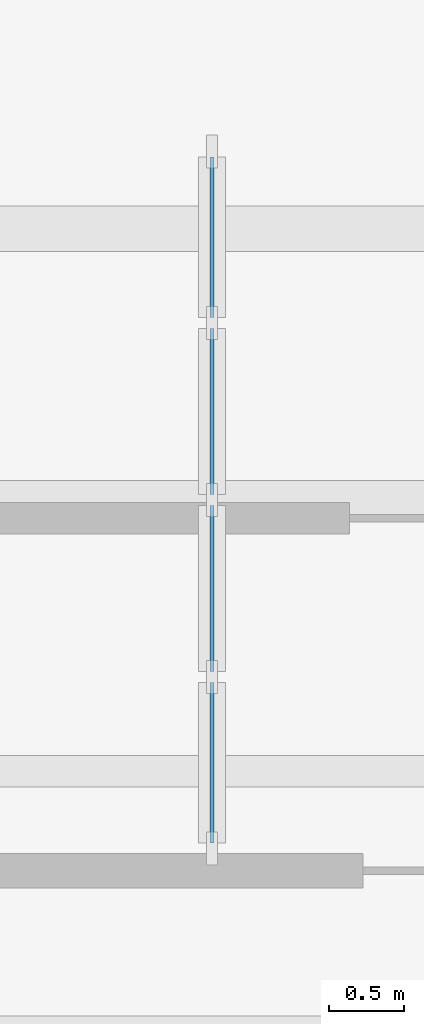
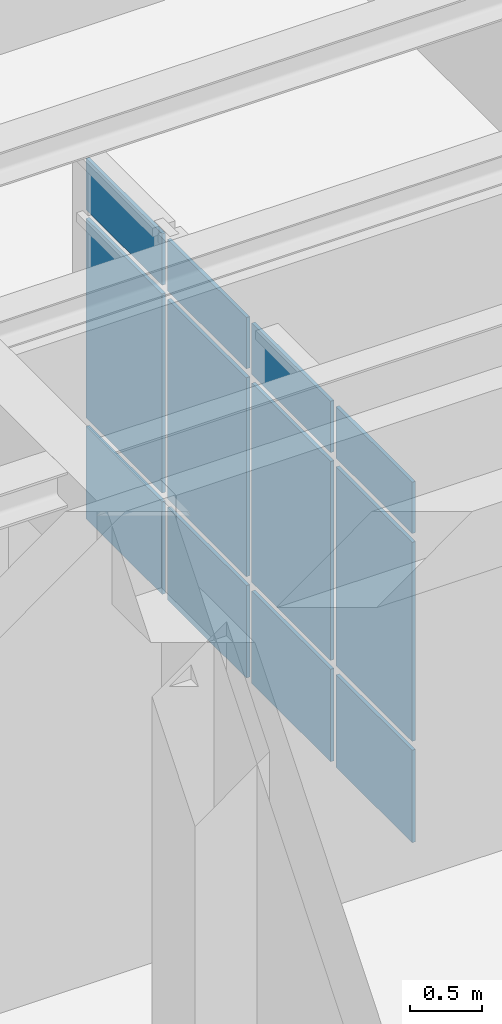
# One storey, part 25 of 66: 12 plates, 1 element without a shape of its own.
"""IFC4 building model written with IfcOpenShell, lengths in metres."""

from ifc_helpers import new_model, si_unit, direction, frame, origin, origin_2d, place, context, subcontext, project, spatial, rectangle, extrude, material, layer, layer_set, type_object, element, aggregate, save


model = new_model("IFC4")

# Units and contexts
model_context = context("Model", 3, precision=1e-05, world=origin(), true_north=direction((0.0, 1.0)))
body_context = subcontext(model_context, "Body", "Model", "MODEL_VIEW")
ifc_project = project(units=[si_unit("LENGTHUNIT", "METRE"), si_unit("AREAUNIT", "SQUARE_METRE"), si_unit("VOLUMEUNIT", "CUBIC_METRE"), si_unit("PLANEANGLEUNIT", "RADIAN"), si_unit("MASSUNIT", "GRAM", prefix="KILO")], contexts=[model_context])

# Site, building, storey
site_placement = place(None, origin())
site = spatial("IfcSite", under=ifc_project, at=site_placement, CompositionType="ELEMENT")
building_placement = place(site_placement, origin())
building = spatial("IfcBuilding", under=site, at=building_placement, Name="Mithqara Police Headquarters", CompositionType="ELEMENT")
storey_placement = place(building_placement, frame((0.0, 0.0, 9.60009765625)))
storey = spatial("IfcBuildingStorey", under=building, at=storey_placement, Name="L02", CompositionType="ELEMENT", Elevation=9.60009765625)

# Curtain wall, plates
ifc_material_1 = material(Name="Bronze anodised aluminium 6063-T6", Category="aluminium")
curtain_wall_type = type_object("IfcCurtainWallType", Name="CURTAIN WALL 4700X3220", PredefinedType="USERDEFINED", material=ifc_material_1)
curtain_wall_placement = place(storey_placement, origin())
curtain_wall = element("IfcCurtainWall", 1, at=curtain_wall_placement, inside=storey, type_object=curtain_wall_type, Name="L02 Unitised Glazing CW-16 (CW-INT-L02-X12-Y02-0)", ObjectType="UNITISED GLAZING", PredefinedType="USERDEFINED")
ifc_material_2 = material(Name="Spectrally selective double low-e glass", Category="glass")
ifc_layer = layer(ifc_material_2, 0.028076171875, Name="Spectrally selective double low-e glass")
ifc_layer_set = layer_set([ifc_layer], Name="Spectrally selective double low-e glass")
plate_type = type_object("IfcPlateType", Name="CWPANEL GLASS28", PredefinedType="CURTAIN_PANEL", material=ifc_layer_set)
plate_1_placement = place(storey_placement, frame((89.39990234375, 15.65625, 0.074951171875), z_axis=(0.0, 0.0, 1.0), x_axis=(0.0, 1.0, 0.0)))
plate_1 = element("IfcPlate", 2, at=plate_1_placement, type_object=plate_type, Name="CW-16 panel 1.1", PredefinedType="CURTAIN_PANEL", context=body_context, shape_type="SweptSolid", body=[
    extrude(rectangle(XDim=1.0625, YDim=0.028076171875, at=origin_2d()), origin(), (0.0, 0.0, 1.0), 0.78759765625),
])
plate_2_placement = place(storey_placement, frame((89.39990234375, 15.65625, 0.9375), z_axis=(0.0, 0.0, 1.0), x_axis=(0.0, 1.0, 0.0)))
plate_2 = element("IfcPlate", 3, at=plate_2_placement, type_object=plate_type, Name="CW-16 panel 1.2", PredefinedType="CURTAIN_PANEL", context=body_context, shape_type="SweptSolid", body=[
    extrude(rectangle(XDim=1.0625, YDim=0.028076171875, at=origin_2d()), origin(), (0.0, 0.0, 1.0), 1.695068359375),
])
plate_3_placement = place(storey_placement, frame((89.39990234375, 15.65625, 2.70751953125), z_axis=(0.0, 0.0, 1.0), x_axis=(0.0, 1.0, 0.0)))
plate_3 = element("IfcPlate", 4, at=plate_3_placement, type_object=plate_type, Name="CW-16 panel 1.3", PredefinedType="CURTAIN_PANEL", context=body_context, shape_type="SweptSolid", body=[
    extrude(rectangle(XDim=1.0625, YDim=0.028076171875, at=origin_2d()), origin(), (0.0, 0.0, 1.0), 0.4375),
])
plate_4_placement = place(storey_placement, frame((89.39990234375, 16.8125, 0.074951171875), z_axis=(0.0, 0.0, 1.0), x_axis=(0.0, 1.0, 0.0)))
plate_4 = element("IfcPlate", 5, at=plate_4_placement, type_object=plate_type, Name="CW-16 panel 2.1", PredefinedType="CURTAIN_PANEL", context=body_context, shape_type="SweptSolid", body=[
    extrude(rectangle(XDim=1.10009765625, YDim=0.028076171875, at=origin_2d()), origin(), (0.0, 0.0, 1.0), 0.78759765625),
])
plate_5_placement = place(storey_placement, frame((89.39990234375, 16.8125, 0.9375), z_axis=(0.0, 0.0, 1.0), x_axis=(0.0, 1.0, 0.0)))
plate_5 = element("IfcPlate", 6, at=plate_5_placement, type_object=plate_type, Name="CW-16 panel 2.2", PredefinedType="CURTAIN_PANEL", context=body_context, shape_type="SweptSolid", body=[
    extrude(rectangle(XDim=1.10009765625, YDim=0.028076171875, at=origin_2d()), origin(), (0.0, 0.0, 1.0), 1.695068359375),
])
plate_6_placement = place(storey_placement, frame((89.39990234375, 16.8125, 2.70751953125), z_axis=(0.0, 0.0, 1.0), x_axis=(0.0, 1.0, 0.0)))
plate_6 = element("IfcPlate", 7, at=plate_6_placement, type_object=plate_type, Name="CW-16 panel 2.3", PredefinedType="CURTAIN_PANEL", context=body_context, shape_type="SweptSolid", body=[
    extrude(rectangle(XDim=1.10009765625, YDim=0.028076171875, at=origin_2d()), origin(), (0.0, 0.0, 1.0), 0.4375),
])
plate_7_placement = place(storey_placement, frame((89.39990234375, 17.987548828125, 0.074951171875), z_axis=(0.0, 0.0, 1.0), x_axis=(0.0, 1.0, 0.0)))
plate_7 = element("IfcPlate", 8, at=plate_7_placement, type_object=plate_type, Name="CW-16 panel 3.1", PredefinedType="CURTAIN_PANEL", context=body_context, shape_type="SweptSolid", body=[
    extrude(rectangle(XDim=1.10009765625, YDim=0.028076171875, at=origin_2d()), origin(), (0.0, 0.0, 1.0), 0.78759765625),
])
plate_8_placement = place(storey_placement, frame((89.39990234375, 17.987548828125, 0.9375), z_axis=(0.0, 0.0, 1.0), x_axis=(0.0, 1.0, 0.0)))
plate_8 = element("IfcPlate", 9, at=plate_8_placement, type_object=plate_type, Name="CW-16 panel 3.2", PredefinedType="CURTAIN_PANEL", context=body_context, shape_type="SweptSolid", body=[
    extrude(rectangle(XDim=1.10009765625, YDim=0.028076171875, at=origin_2d()), origin(), (0.0, 0.0, 1.0), 1.695068359375),
])
plate_9_placement = place(storey_placement, frame((89.39990234375, 17.987548828125, 2.70751953125), z_axis=(0.0, 0.0, 1.0), x_axis=(0.0, 1.0, 0.0)))
plate_9 = element("IfcPlate", 10, at=plate_9_placement, type_object=plate_type, Name="CW-16 panel 3.3", PredefinedType="CURTAIN_PANEL", context=body_context, shape_type="SweptSolid", body=[
    extrude(rectangle(XDim=1.10009765625, YDim=0.028076171875, at=origin_2d()), origin(), (0.0, 0.0, 1.0), 0.4375),
])
plate_10_placement = place(storey_placement, frame((89.39990234375, 19.143798828125, 0.074951171875), z_axis=(0.0, 0.0, 1.0), x_axis=(0.0, 1.0, 0.0)))
plate_10 = element("IfcPlate", 11, at=plate_10_placement, type_object=plate_type, Name="CW-16 panel 4.1", PredefinedType="CURTAIN_PANEL", context=body_context, shape_type="SweptSolid", body=[
    extrude(rectangle(XDim=1.0625, YDim=0.028076171875, at=origin_2d()), origin(), (0.0, 0.0, 1.0), 0.78759765625),
])
plate_11_placement = place(storey_placement, frame((89.39990234375, 19.143798828125, 0.9375), z_axis=(0.0, 0.0, 1.0), x_axis=(0.0, 1.0, 0.0)))
plate_11 = element("IfcPlate", 12, at=plate_11_placement, type_object=plate_type, Name="CW-16 panel 4.2", PredefinedType="CURTAIN_PANEL", context=body_context, shape_type="SweptSolid", body=[
    extrude(rectangle(XDim=1.0625, YDim=0.028076171875, at=origin_2d()), origin(), (0.0, 0.0, 1.0), 1.695068359375),
])
plate_12_placement = place(storey_placement, frame((89.39990234375, 19.143798828125, 2.70751953125), z_axis=(0.0, 0.0, 1.0), x_axis=(0.0, 1.0, 0.0)))
plate_12 = element("IfcPlate", 13, at=plate_12_placement, type_object=plate_type, Name="CW-16 panel 4.3", PredefinedType="CURTAIN_PANEL", context=body_context, shape_type="SweptSolid", body=[
    extrude(rectangle(XDim=1.0625, YDim=0.028076171875, at=origin_2d()), origin(), (0.0, 0.0, 1.0), 0.4375),
])
aggregate(curtain_wall, [plate_1, plate_2, plate_3, plate_4, plate_5, plate_6, plate_7, plate_8, plate_9, plate_10, plate_11, plate_12])

save(model, "model.ifc")
